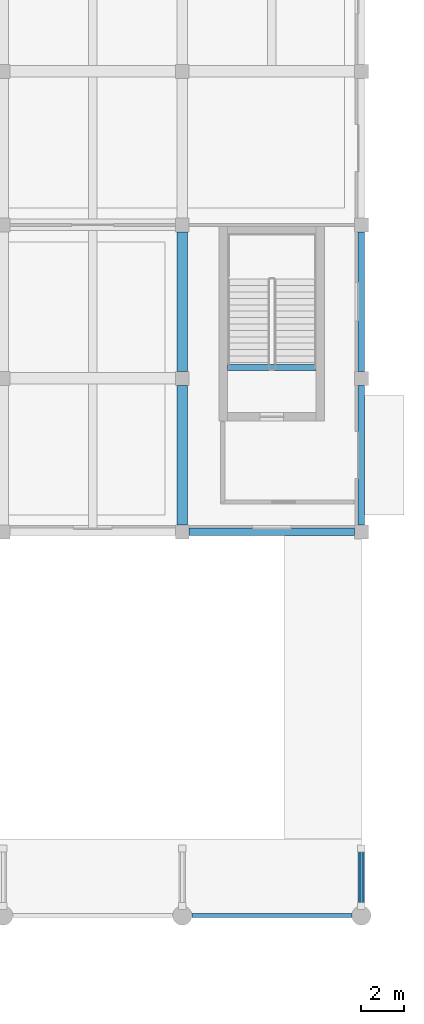
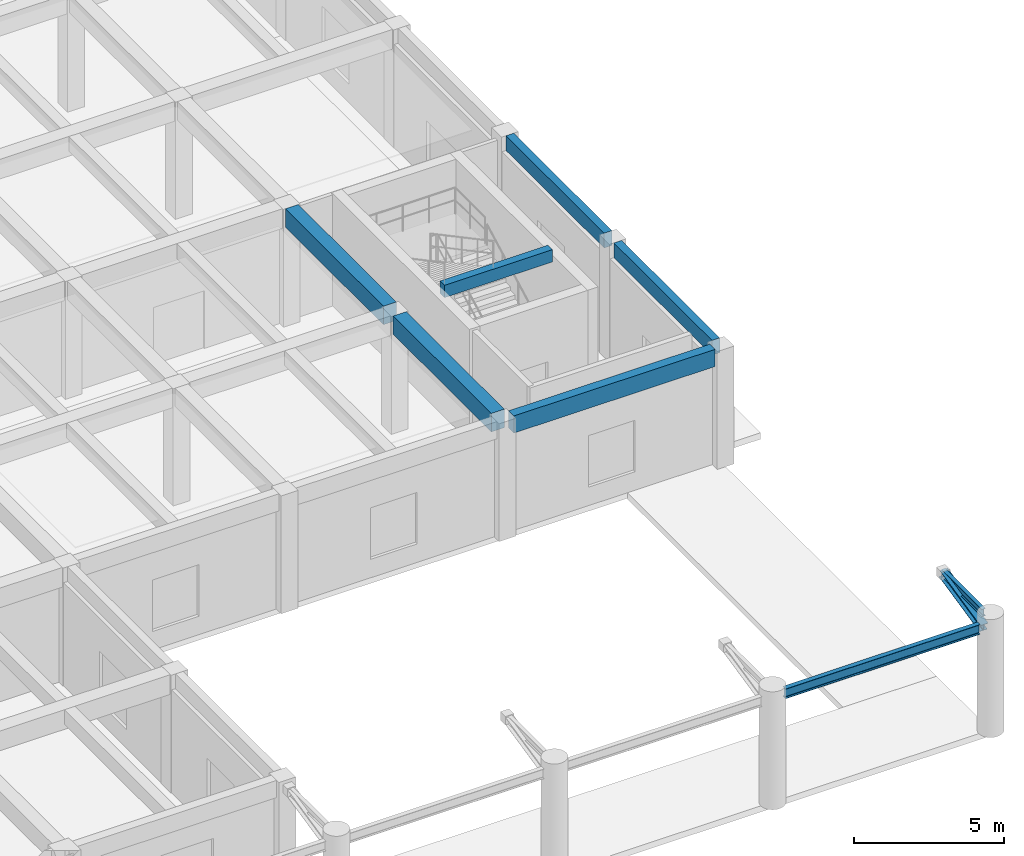
# One storey, part 17 of 49: 8 beams, 1 member.
"""IFC4 building model written with IfcOpenShell, lengths in metres."""

from ifc_helpers import new_model, si_unit, direction, frame, origin, origin_2d, place, context, subcontext, project, spatial, rectangle, i_section, extrude, material, material_profile, profile_set, type_object, element, save


model = new_model("IFC4")

# Units and contexts
model_context = context("Model", 3, precision=1e-05, world=origin(), true_north=direction((0.0, 1.0)))
body_context = subcontext(model_context, "Body", "Model", "MODEL_VIEW")
ifc_project = project(units=[si_unit("LENGTHUNIT", "METRE"), si_unit("AREAUNIT", "SQUARE_METRE"), si_unit("VOLUMEUNIT", "CUBIC_METRE"), si_unit("PLANEANGLEUNIT", "RADIAN"), si_unit("MASSUNIT", "GRAM", prefix="KILO")], contexts=[model_context])

# Site, building, storey
site_placement = place(None, origin())
site = spatial("IfcSite", under=ifc_project, at=site_placement, CompositionType="ELEMENT")
building_placement = place(site_placement, origin())
building = spatial("IfcBuilding", under=site, at=building_placement, Name="Kenerak Square Central Library", CompositionType="ELEMENT")
storey_placement = place(building_placement, origin())
storey = spatial("IfcBuildingStorey", under=building, at=storey_placement, Name="L00", CompositionType="ELEMENT", Elevation=0.0)

# Beam
ifc_material_1 = material(Name="Steel S355", Category="steel")
ifc_material_profile_1 = material_profile(ifc_material_1, i_section(OverallWidth=0.14990234375, OverallDepth=0.300048828125, WebThickness=0.007080078125, FlangeThickness=0.0107421875, FilletRadius=0.014892578125, at=origin_2d()), Name="IPE 300")
ifc_profile_set_1 = profile_set([ifc_material_profile_1], Name="Steel S355")
beam_type_1 = type_object("IfcBeamType", Name="Canopy Steel Joist SJ-02 IPE 300 S355", PredefinedType="JOIST", material=ifc_profile_set_1)
beam_1_placement = place(storey_placement, frame((176.0, 13.64990234375, 4.5), z_axis=(0.0, 1.0, 0.0), x_axis=(-1.0, 0.0, 0.0)))
element("IfcBeam", 1, at=beam_1_placement, inside=storey, type_object=beam_type_1, Name="Colonnade Canopy Tie Joist SJ-02 13", PredefinedType="JOIST", context=body_context, shape_type="SweptSolid", body=[
    extrude(i_section(OverallWidth=0.14990234375, OverallDepth=0.300048828125, WebThickness=0.007080078125, FlangeThickness=0.0107421875, FilletRadius=0.014892578125, at=origin_2d()), origin(), (0.0, 0.0, 1.0), 2.7001953125),
])

# Member
ifc_material_profile_2 = material_profile(ifc_material_1, i_section(OverallWidth=0.300048828125, OverallDepth=0.300048828125, WebThickness=0.010986328125, FlangeThickness=0.01904296875, FilletRadius=0.027099609375, at=origin_2d()), Name="HEB 300")
ifc_profile_set_2 = profile_set([ifc_material_profile_2], Name="Steel S355")
member_type = type_object("IfcMemberType", Name="Canopy Tie Member CT-01 HEB 300 S355", PredefinedType="STRUT", material=ifc_profile_set_2)
member_placement = place(storey_placement, frame((176.0, 13.64990234375, 3.89990234375), z_axis=(0.0, 0.976182906477, 0.216949148655), x_axis=(-1.0, 0.0, 0.0)))
element("IfcMember", 2, at=member_placement, inside=storey, type_object=member_type, Name="Colonnade Raking Tie CT-01 13", PredefinedType="STRUT", context=body_context, shape_type="SweptSolid", body=[
    extrude(i_section(OverallWidth=0.300048828125, OverallDepth=0.300048828125, WebThickness=0.010986328125, FlangeThickness=0.01904296875, FilletRadius=0.027099609375, at=origin_2d()), origin(), (0.0, 0.0, 1.0), 2.76611328125),
])

# Beams
ifc_material_profile_3 = material_profile(ifc_material_1, i_section(OverallWidth=0.179931640625, OverallDepth=0.39990234375, WebThickness=0.008544921875, FlangeThickness=0.013427734375, FilletRadius=0.02099609375, at=origin_2d()), Name="IPE 400")
ifc_profile_set_3 = profile_set([ifc_material_profile_3], Name="Steel S355")
beam_type_2 = type_object("IfcBeamType", Name="Colonnade Roof Beam SB-09 IPE 400 S355", PredefinedType="BEAM", material=ifc_profile_set_3)
beam_2_placement = place(storey_placement, frame((168.050048828125, 13.199951171875, 4.300048828125), z_axis=(1.0, 0.0, 0.0), x_axis=(0.0, 1.0, 0.0)))
element("IfcBeam", 3, at=beam_2_placement, inside=storey, type_object=beam_type_2, Name="Colonnade Edge Beam SB-09 E06", PredefinedType="BEAM", context=body_context, shape_type="SweptSolid", body=[
    extrude(i_section(OverallWidth=0.179931640625, OverallDepth=0.39990234375, WebThickness=0.008544921875, FlangeThickness=0.013427734375, FilletRadius=0.02099609375, at=origin_2d()), origin(), (0.0, 0.0, 1.0), 7.5),
])
ifc_material_2 = material(Name="Concrete C40/50", Category="concrete")
ifc_material_profile_4 = material_profile(ifc_material_2, rectangle(XDim=0.300048828125, YDim=0.60009765625, at=origin_2d()), Name="RC 300x600")
ifc_profile_set_4 = profile_set([ifc_material_profile_4], Name="Concrete C40/50")
beam_type_3 = type_object("IfcBeamType", Name="Courtyard Spandrel Beam SP-02 RC 300x600 C40/50", PredefinedType="SPANDREL", material=ifc_profile_set_4)
beam_3_placement = place(storey_placement, frame((176.0, 31.52490234375, 4.5), z_axis=(0.0, 1.0, 0.0), x_axis=(-1.0, 0.0, 0.0)))
element("IfcBeam", 4, at=beam_3_placement, inside=storey, type_object=beam_type_3, Name="Beam SP-02 L00 0747", PredefinedType="SPANDREL", context=body_context, shape_type="SweptSolid", body=[
    extrude(rectangle(XDim=0.300048828125, YDim=0.60009765625, at=origin_2d()), origin(), (0.0, 0.0, 1.0), 6.550048828125),
])
beam_4_placement = place(storey_placement, frame((176.0, 38.72509765625, 4.5), z_axis=(0.0, 1.0, 0.0), x_axis=(-1.0, 0.0, 0.0)))
element("IfcBeam", 5, at=beam_4_placement, inside=storey, type_object=beam_type_3, Name="Beam SP-02 L00 0748", PredefinedType="SPANDREL", context=body_context, shape_type="SweptSolid", body=[
    extrude(rectangle(XDim=0.300048828125, YDim=0.60009765625, at=origin_2d()), origin(), (0.0, 0.0, 1.0), 6.5498046875),
])
ifc_material_profile_5 = material_profile(ifc_material_2, rectangle(XDim=0.35009765625, YDim=0.699951171875, at=origin_2d()), Name="RC 350x700")
ifc_profile_set_5 = profile_set([ifc_material_profile_5], Name="Concrete C40/50")
beam_type_4 = type_object("IfcBeamType", Name="Expressed Spandrel Beam SP-01 RC 350x700 C40/50", PredefinedType="SPANDREL", material=ifc_profile_set_5)
beam_5_placement = place(storey_placement, frame((167.925048828125, 31.199951171875, 4.449951171875), z_axis=(1.0, 0.0, 0.0), x_axis=(0.0, 1.0, 0.0)))
element("IfcBeam", 6, at=beam_5_placement, inside=storey, type_object=beam_type_4, Name="Beam SP-01 L00 0490", PredefinedType="SPANDREL", context=body_context, shape_type="SweptSolid", body=[
    extrude(rectangle(XDim=0.35009765625, YDim=0.699951171875, at=origin_2d()), origin(), (0.0, 0.0, 1.0), 7.75),
])
ifc_material_profile_6 = material_profile(ifc_material_2, rectangle(XDim=0.300048828125, YDim=0.5, at=origin_2d()), Name="RC 300x500")
ifc_profile_set_6 = profile_set([ifc_material_profile_6], Name="Concrete C40/50")
beam_type_5 = type_object("IfcBeamType", Name="Landing Support Beam B-08 RC 300x500 C40/50", PredefinedType="BEAM", material=ifc_profile_set_6)
beam_6_placement = place(storey_placement, frame((169.719970703125, 38.909912109375, 4.550048828125), z_axis=(1.0, 0.0, 0.0), x_axis=(0.0, 1.0, 0.0)))
element("IfcBeam", 7, at=beam_6_placement, inside=storey, type_object=beam_type_5, Name="Stair Threshold Beam B-08 ST-07 L01", PredefinedType="BEAM", context=body_context, shape_type="SweptSolid", body=[
    extrude(rectangle(XDim=0.300048828125, YDim=0.5, at=origin_2d()), origin(), (0.0, 0.0, 1.0), 4.159912109375),
])
ifc_material_profile_7 = material_profile(ifc_material_2, rectangle(XDim=0.5, YDim=0.75, at=origin_2d()), Name="RC 500x750")
ifc_profile_set_7 = profile_set([ifc_material_profile_7], Name="Concrete C40/50")
beam_type_6 = type_object("IfcBeamType", Name="Transverse Frame Beam B-05 RC 500x750 C40/50", PredefinedType="BEAM", material=ifc_profile_set_7)
beam_7_placement = place(storey_placement, frame((167.60009765625, 31.52490234375, 4.425048828125), z_axis=(0.0, 1.0, 0.0), x_axis=(-1.0, 0.0, 0.0)))
element("IfcBeam", 8, at=beam_7_placement, inside=storey, type_object=beam_type_6, Name="Beam B-05 L00 0742", PredefinedType="BEAM", context=body_context, shape_type="SweptSolid", body=[
    extrude(rectangle(XDim=0.5, YDim=0.75, at=origin_2d()), origin(), (0.0, 0.0, 1.0), 6.550048828125),
])
beam_8_placement = place(storey_placement, frame((167.60009765625, 38.72509765625, 4.425048828125), z_axis=(0.0, 1.0, 0.0), x_axis=(-1.0, 0.0, 0.0)))
element("IfcBeam", 9, at=beam_8_placement, inside=storey, type_object=beam_type_6, Name="Beam B-05 L00 0743", PredefinedType="BEAM", context=body_context, shape_type="SweptSolid", body=[
    extrude(rectangle(XDim=0.5, YDim=0.75, at=origin_2d()), origin(), (0.0, 0.0, 1.0), 6.5498046875),
])

save(model, "model.ifc")
